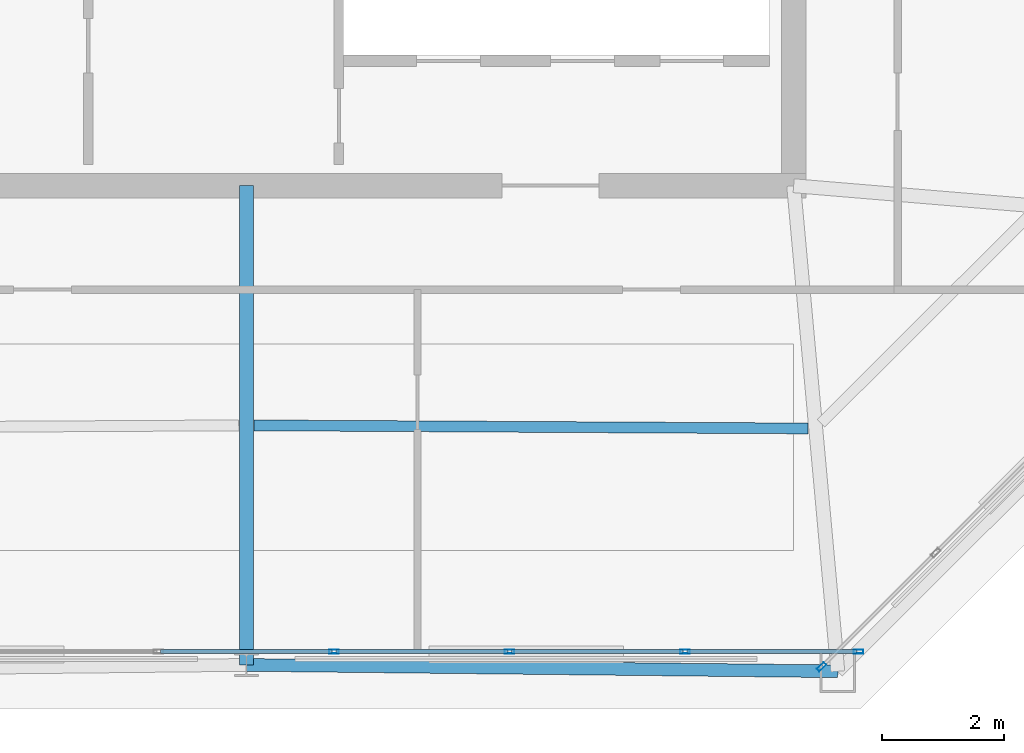
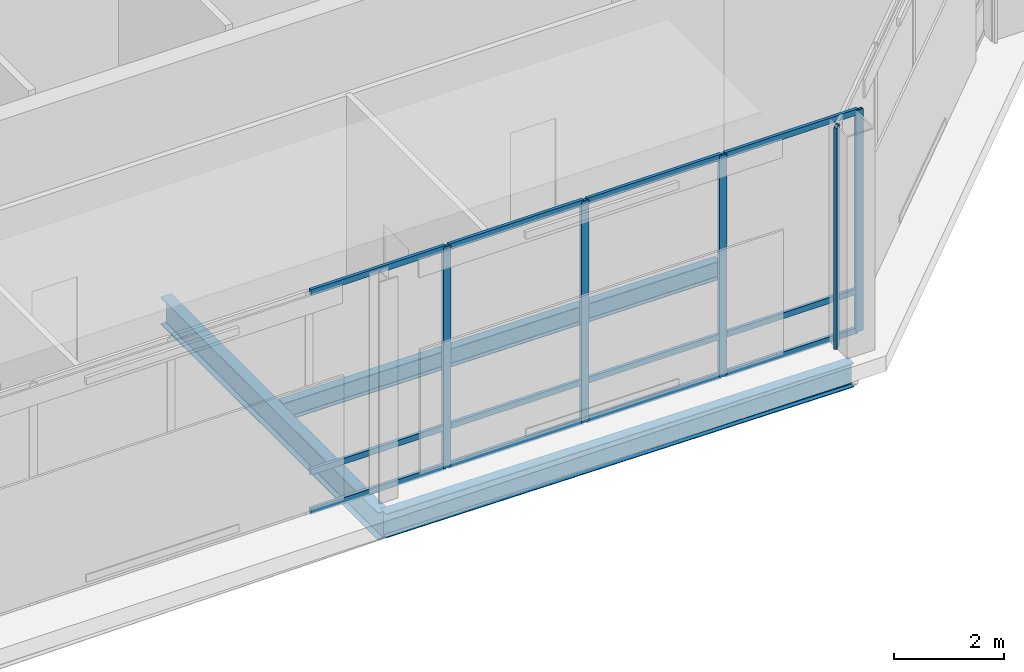
# One storey, part 5 of 21: 17 members, 3 beams, 2 elements without a shape of their own.
"""IFC4 building model written with IfcOpenShell, lengths in metres."""

from ifc_helpers import new_model, si_unit, direction, frame, origin, origin_2d, place, context, subcontext, project, spatial, hollow_rectangle, i_section, extrude, material, layer, layer_set, material_profile, profile_set, type_object, element, aggregate, save


model = new_model("IFC4")

# Units and contexts
model_context = context("Model", 3, precision=1e-05, world=origin(), true_north=direction((0.0, 1.0)))
body_context = subcontext(model_context, "Body", "Model", "MODEL_VIEW")
ifc_project = project(units=[si_unit("LENGTHUNIT", "METRE"), si_unit("AREAUNIT", "SQUARE_METRE"), si_unit("VOLUMEUNIT", "CUBIC_METRE"), si_unit("PLANEANGLEUNIT", "RADIAN"), si_unit("MASSUNIT", "GRAM", prefix="KILO")], contexts=[model_context])

# Site, building, storey
site_placement = place(None, origin())
site = spatial("IfcSite", under=ifc_project, at=site_placement, CompositionType="ELEMENT")
building_placement = place(site_placement, origin())
building = spatial("IfcBuilding", under=site, at=building_placement, Name="Caelvoria Tower", CompositionType="ELEMENT")
storey_placement = place(building_placement, frame((0.0, 0.0, 279.0)))
storey = spatial("IfcBuildingStorey", under=building, at=storey_placement, Name="L74", CompositionType="ELEMENT", Elevation=279.0)

# Curtain wall, members
ifc_material_1 = material(Name="Anodised Bronze Aluminium and Low-E Glass", Category="aluminium")
ifc_layer = layer(ifc_material_1, 0.205078125, Name="Anodised Bronze Aluminium and Low-E Glass")
ifc_layer_set = layer_set([ifc_layer], Name="CW System 5 Observation Panorama Low-Iron Facade - Anodised Bronze Aluminium and Low-E Glass")
curtain_wall_type = type_object("IfcCurtainWallType", Name="CW System 5 Observation Panorama Low-Iron Facade", PredefinedType="NOTDEFINED", material=ifc_layer_set)
curtain_wall_1_placement = place(storey_placement, origin())
curtain_wall_1 = element("IfcCurtainWall", 1, at=curtain_wall_1_placement, inside=storey, type_object=curtain_wall_type, Name="CW-05 Curtain Wall L74-E0", PredefinedType="NOTDEFINED")
ifc_material_2 = material(Name="Anodised Bronze Architectural Aluminium", Category="aluminium")
ifc_material_profile_1 = material_profile(ifc_material_2, hollow_rectangle(XDim=0.06494140625, YDim=0.159912109375, WallThickness=0.00390625, at=origin_2d()), Name="Anodised Bronze Architectural Aluminium")
ifc_profile_set_1 = profile_set([ifc_material_profile_1], Name="CW_MULL_65X160 - Anodised Bronze Architectural Aluminium")
member_type_1 = type_object("IfcMemberType", Name="Curtain Wall Mullion 65x160 Bronze Aluminium", PredefinedType="MULLION", material=ifc_profile_set_1)
member_1_placement = place(storey_placement, frame((47.44287109375, 16.340087890625, 0.0), z_axis=(0.0, 0.0, 1.0), x_axis=(0.0, 1.0, 0.0)))
member_1 = element("IfcMember", 2, at=member_1_placement, type_object=member_type_1, Name="CW-05 mullion 5", PredefinedType="MULLION", context=body_context, shape_type="SweptSolid", body=[
    extrude(hollow_rectangle(XDim=0.06494140625, YDim=0.159912109375, WallThickness=0.00390625, at=origin_2d()), origin(), (0.0, 0.0, 1.0), 4.89990234375),
])
member_2_placement = place(storey_placement, frame((50.32861328125, 16.340087890625, 0.0), z_axis=(0.0, 0.0, 1.0), x_axis=(0.0, 1.0, 0.0)))
member_2 = element("IfcMember", 3, at=member_2_placement, type_object=member_type_1, Name="CW-05 mullion 6", PredefinedType="MULLION", context=body_context, shape_type="SweptSolid", body=[
    extrude(hollow_rectangle(XDim=0.06494140625, YDim=0.159912109375, WallThickness=0.00390625, at=origin_2d()), origin(), (0.0, 0.0, 1.0), 4.89990234375),
])
member_3_placement = place(storey_placement, frame((53.21435546875, 16.340087890625, 0.0), z_axis=(0.0, 0.0, 1.0), x_axis=(0.0, 1.0, 0.0)))
member_3 = element("IfcMember", 4, at=member_3_placement, type_object=member_type_1, Name="CW-05 mullion 7", PredefinedType="MULLION", context=body_context, shape_type="SweptSolid", body=[
    extrude(hollow_rectangle(XDim=0.06494140625, YDim=0.159912109375, WallThickness=0.00390625, at=origin_2d()), origin(), (0.0, 0.0, 1.0), 4.89990234375),
])
member_4_placement = place(storey_placement, frame((56.0673828125, 16.340087890625, 0.0), z_axis=(0.0, 0.0, 1.0), x_axis=(0.0, 1.0, 0.0)))
member_4 = element("IfcMember", 5, at=member_4_placement, type_object=member_type_1, Name="CW-05 mullion 8", PredefinedType="MULLION", context=body_context, shape_type="SweptSolid", body=[
    extrude(hollow_rectangle(XDim=0.06494140625, YDim=0.159912109375, WallThickness=0.00390625, at=origin_2d()), origin(), (0.0, 0.0, 1.0), 4.89990234375),
])

# Curtain wall, member
curtain_wall_2_placement = place(storey_placement, origin())
curtain_wall_2 = element("IfcCurtainWall", 6, at=curtain_wall_2_placement, inside=storey, type_object=curtain_wall_type, Name="CW-05 Curtain Wall L74-E1", PredefinedType="NOTDEFINED")
member_5_placement = place(storey_placement, frame((55.458251953125, 16.087646484375, 0.0), z_axis=(0.0, 0.0, 1.0), x_axis=(-0.707106781187, 0.707106781187, 0.0)))
member_5 = element("IfcMember", 7, at=member_5_placement, type_object=member_type_1, Name="CW-05 mullion 1", PredefinedType="MULLION", context=body_context, shape_type="SweptSolid", body=[
    extrude(hollow_rectangle(XDim=0.06494140625, YDim=0.159912109375, WallThickness=0.00390625, at=origin_2d()), origin(), (0.0, 0.0, 1.0), 4.89990234375),
])
aggregate(curtain_wall_2, [member_5])

# Member
ifc_material_profile_2 = material_profile(ifc_material_2, hollow_rectangle(XDim=0.06494140625, YDim=0.1298828125, WallThickness=0.00341796875, at=origin_2d()), Name="Anodised Bronze Architectural Aluminium")
ifc_profile_set_2 = profile_set([ifc_material_profile_2], Name="CW_TRAN_65X130 - Anodised Bronze Architectural Aluminium")
member_type_2 = type_object("IfcMemberType", Name="Curtain Wall Transom 65x130 Bronze Aluminium", PredefinedType="USERDEFINED", material=ifc_profile_set_2)
member_6_placement = place(storey_placement, frame((44.589599609375, 16.340087890625, 0.032470703125), z_axis=(1.0, 0.0, 0.0), x_axis=(0.0, 1.0, 0.0)))
member_6 = element("IfcMember", 8, at=member_6_placement, type_object=member_type_2, Name="CW-05 transom 4.1", ObjectType="TRANSOM", PredefinedType="USERDEFINED", context=body_context, shape_type="SweptSolid", body=[
    extrude(hollow_rectangle(XDim=0.06494140625, YDim=0.1298828125, WallThickness=0.00341796875, at=origin_2d()), origin(), (0.0, 0.0, 1.0), 2.82080078125),
])

member_7_placement = place(storey_placement, frame((44.589599609375, 16.340087890625, 0.89990234375), z_axis=(1.0, 0.0, 0.0), x_axis=(0.0, 1.0, 0.0)))
member_7 = element("IfcMember", 9, at=member_7_placement, type_object=member_type_2, Name="CW-05 transom 4.2", ObjectType="TRANSOM", PredefinedType="USERDEFINED", context=body_context, shape_type="SweptSolid", body=[
    extrude(hollow_rectangle(XDim=0.06494140625, YDim=0.1298828125, WallThickness=0.00341796875, at=origin_2d()), origin(), (0.0, 0.0, 1.0), 2.82080078125),
])

member_8_placement = place(storey_placement, frame((44.589599609375, 16.340087890625, 4.867431640625), z_axis=(1.0, 0.0, 0.0), x_axis=(0.0, 1.0, 0.0)))
member_8 = element("IfcMember", 10, at=member_8_placement, type_object=member_type_2, Name="CW-05 transom 4.3", ObjectType="TRANSOM", PredefinedType="USERDEFINED", context=body_context, shape_type="SweptSolid", body=[
    extrude(hollow_rectangle(XDim=0.06494140625, YDim=0.1298828125, WallThickness=0.00341796875, at=origin_2d()), origin(), (0.0, 0.0, 1.0), 2.82080078125),
])

member_9_placement = place(storey_placement, frame((47.475341796875, 16.340087890625, 0.032470703125), z_axis=(1.0, 0.0, 0.0), x_axis=(0.0, 1.0, 0.0)))
member_9 = element("IfcMember", 11, at=member_9_placement, type_object=member_type_2, Name="CW-05 transom 5.1", ObjectType="TRANSOM", PredefinedType="USERDEFINED", context=body_context, shape_type="SweptSolid", body=[
    extrude(hollow_rectangle(XDim=0.06494140625, YDim=0.1298828125, WallThickness=0.00341796875, at=origin_2d()), origin(), (0.0, 0.0, 1.0), 2.82080078125),
])

member_10_placement = place(storey_placement, frame((47.475341796875, 16.340087890625, 0.89990234375), z_axis=(1.0, 0.0, 0.0), x_axis=(0.0, 1.0, 0.0)))
member_10 = element("IfcMember", 12, at=member_10_placement, type_object=member_type_2, Name="CW-05 transom 5.2", ObjectType="TRANSOM", PredefinedType="USERDEFINED", context=body_context, shape_type="SweptSolid", body=[
    extrude(hollow_rectangle(XDim=0.06494140625, YDim=0.1298828125, WallThickness=0.00341796875, at=origin_2d()), origin(), (0.0, 0.0, 1.0), 2.82080078125),
])

member_11_placement = place(storey_placement, frame((47.475341796875, 16.340087890625, 4.867431640625), z_axis=(1.0, 0.0, 0.0), x_axis=(0.0, 1.0, 0.0)))
member_11 = element("IfcMember", 13, at=member_11_placement, type_object=member_type_2, Name="CW-05 transom 5.3", ObjectType="TRANSOM", PredefinedType="USERDEFINED", context=body_context, shape_type="SweptSolid", body=[
    extrude(hollow_rectangle(XDim=0.06494140625, YDim=0.1298828125, WallThickness=0.00341796875, at=origin_2d()), origin(), (0.0, 0.0, 1.0), 2.82080078125),
])

member_12_placement = place(storey_placement, frame((50.361083984375, 16.340087890625, 0.032470703125), z_axis=(1.0, 0.0, 0.0), x_axis=(0.0, 1.0, 0.0)))
member_12 = element("IfcMember", 14, at=member_12_placement, type_object=member_type_2, Name="CW-05 transom 6.1", ObjectType="TRANSOM", PredefinedType="USERDEFINED", context=body_context, shape_type="SweptSolid", body=[
    extrude(hollow_rectangle(XDim=0.06494140625, YDim=0.1298828125, WallThickness=0.00341796875, at=origin_2d()), origin(), (0.0, 0.0, 1.0), 2.82080078125),
])

member_13_placement = place(storey_placement, frame((50.361083984375, 16.340087890625, 0.89990234375), z_axis=(1.0, 0.0, 0.0), x_axis=(0.0, 1.0, 0.0)))
member_13 = element("IfcMember", 15, at=member_13_placement, type_object=member_type_2, Name="CW-05 transom 6.2", ObjectType="TRANSOM", PredefinedType="USERDEFINED", context=body_context, shape_type="SweptSolid", body=[
    extrude(hollow_rectangle(XDim=0.06494140625, YDim=0.1298828125, WallThickness=0.00341796875, at=origin_2d()), origin(), (0.0, 0.0, 1.0), 2.82080078125),
])

member_14_placement = place(storey_placement, frame((50.361083984375, 16.340087890625, 4.867431640625), z_axis=(1.0, 0.0, 0.0), x_axis=(0.0, 1.0, 0.0)))
member_14 = element("IfcMember", 16, at=member_14_placement, type_object=member_type_2, Name="CW-05 transom 6.3", ObjectType="TRANSOM", PredefinedType="USERDEFINED", context=body_context, shape_type="SweptSolid", body=[
    extrude(hollow_rectangle(XDim=0.06494140625, YDim=0.1298828125, WallThickness=0.00341796875, at=origin_2d()), origin(), (0.0, 0.0, 1.0), 2.82080078125),
])

member_15_placement = place(storey_placement, frame((53.246826171875, 16.340087890625, 0.032470703125), z_axis=(1.0, 0.0, 0.0), x_axis=(0.0, 1.0, 0.0)))
member_15 = element("IfcMember", 17, at=member_15_placement, type_object=member_type_2, Name="CW-05 transom 7.1", ObjectType="TRANSOM", PredefinedType="USERDEFINED", context=body_context, shape_type="SweptSolid", body=[
    extrude(hollow_rectangle(XDim=0.06494140625, YDim=0.1298828125, WallThickness=0.00341796875, at=origin_2d()), origin(), (0.0, 0.0, 1.0), 2.7880859375),
])

member_16_placement = place(storey_placement, frame((53.246826171875, 16.340087890625, 0.89990234375), z_axis=(1.0, 0.0, 0.0), x_axis=(0.0, 1.0, 0.0)))
member_16 = element("IfcMember", 18, at=member_16_placement, type_object=member_type_2, Name="CW-05 transom 7.2", ObjectType="TRANSOM", PredefinedType="USERDEFINED", context=body_context, shape_type="SweptSolid", body=[
    extrude(hollow_rectangle(XDim=0.06494140625, YDim=0.1298828125, WallThickness=0.00341796875, at=origin_2d()), origin(), (0.0, 0.0, 1.0), 2.7880859375),
])

member_17_placement = place(storey_placement, frame((53.246826171875, 16.340087890625, 4.867431640625), z_axis=(1.0, 0.0, 0.0), x_axis=(0.0, 1.0, 0.0)))
member_17 = element("IfcMember", 19, at=member_17_placement, type_object=member_type_2, Name="CW-05 transom 7.3", ObjectType="TRANSOM", PredefinedType="USERDEFINED", context=body_context, shape_type="SweptSolid", body=[
    extrude(hollow_rectangle(XDim=0.06494140625, YDim=0.1298828125, WallThickness=0.00341796875, at=origin_2d()), origin(), (0.0, 0.0, 1.0), 2.7880859375),
])

aggregate(curtain_wall_1, [member_1, member_2, member_3, member_4, member_6, member_7, member_8, member_9, member_10, member_11, member_12, member_13, member_14, member_15, member_16, member_17])

# Beams
ifc_material_3 = material(Name="Structural Steel ASTM A992 Gr.50", Category="steel")
ifc_material_profile_3 = material_profile(ifc_material_3, i_section(OverallWidth=0.22802734375, OverallDepth=0.60302734375, WebThickness=0.010498046875, FlangeThickness=0.014892578125, FilletRadius=0.01806640625, at=origin_2d()), Name="Structural Steel ASTM A992 Gr.50")
ifc_profile_set_3 = profile_set([ifc_material_profile_3], Name="W610X101 - Structural Steel ASTM A992 Gr.50")
beam_type_1 = type_object("IfcBeamType", Name="Primary Floor Girder W610X101", PredefinedType="BEAM", material=ifc_profile_set_3)
beam_1_placement = place(storey_placement, frame((46.0, 24.0, -0.6416015625), z_axis=(0.0, -1.0, 0.0), x_axis=(1.0, 0.0, 0.0)))
element("IfcBeam", 20, at=beam_1_placement, inside=storey, type_object=beam_type_1, Name="Primary Floor Girder L74-01", PredefinedType="BEAM", context=body_context, shape_type="SweptSolid", body=[
    extrude(i_section(OverallWidth=0.22802734375, OverallDepth=0.60302734375, WebThickness=0.010498046875, FlangeThickness=0.014892578125, FilletRadius=0.01806640625, at=origin_2d()), origin(), (0.0, 0.0, 1.0), 7.8798828125),
])
ifc_material_profile_4 = material_profile(ifc_material_3, i_section(OverallWidth=0.177978515625, OverallDepth=0.406982421875, WebThickness=0.0078125, FlangeThickness=0.0126953125, FilletRadius=0.013916015625, at=origin_2d()), Name="Structural Steel ASTM A992 Gr.50")
ifc_profile_set_4 = profile_set([ifc_material_profile_4], Name="W410X60 - Structural Steel ASTM A992 Gr.50")
beam_type_2 = type_object("IfcBeamType", Name="Secondary Floor Beam W410X60", PredefinedType="BEAM", material=ifc_profile_set_4)
beam_2_placement = place(storey_placement, frame((46.125, 20.059326171875, -0.54345703125), z_axis=(0.999984324209, -0.005599226377, 0.0), x_axis=(0.005599226377, 0.999984324209, 0.0)))
element("IfcBeam", 21, at=beam_2_placement, inside=storey, type_object=beam_type_2, Name="Secondary Floor Beam L74-01", PredefinedType="BEAM", context=body_context, shape_type="SweptSolid", body=[
    extrude(i_section(OverallWidth=0.177978515625, OverallDepth=0.406982421875, WebThickness=0.0078125, FlangeThickness=0.0126953125, FilletRadius=0.013916015625, at=origin_2d()), origin(), (0.0, 0.0, 1.0), 9.113037109375),
])
ifc_material_profile_5 = material_profile(ifc_material_3, i_section(OverallWidth=0.208984375, OverallDepth=0.532958984375, WebThickness=0.01025390625, FlangeThickness=0.015625, FilletRadius=0.01611328125, at=origin_2d()), Name="Structural Steel ASTM A992 Gr.50")
ifc_profile_set_5 = profile_set([ifc_material_profile_5], Name="W530X92 - Structural Steel ASTM A992 Gr.50")
beam_type_3 = type_object("IfcBeamType", Name="Upper Zone Spandrel W530X92", PredefinedType="BEAM", material=ifc_profile_set_5)
beam_3_placement = place(storey_placement, frame((46.0, 16.1201171875, -0.6064453125), z_axis=(0.999941750029, -0.010793356742, 0.0), x_axis=(0.010793356742, 0.999941750029, 0.0)))
element("IfcBeam", 22, at=beam_3_placement, inside=storey, type_object=beam_type_3, Name="Perimeter Spandrel Girder L74-01", PredefinedType="BEAM", context=body_context, shape_type="SweptSolid", body=[
    extrude(i_section(OverallWidth=0.208984375, OverallDepth=0.532958984375, WebThickness=0.01025390625, FlangeThickness=0.015625, FilletRadius=0.01611328125, at=origin_2d()), origin(), (0.0, 0.0, 1.0), 9.726318359375),
])

save(model, "model.ifc")
